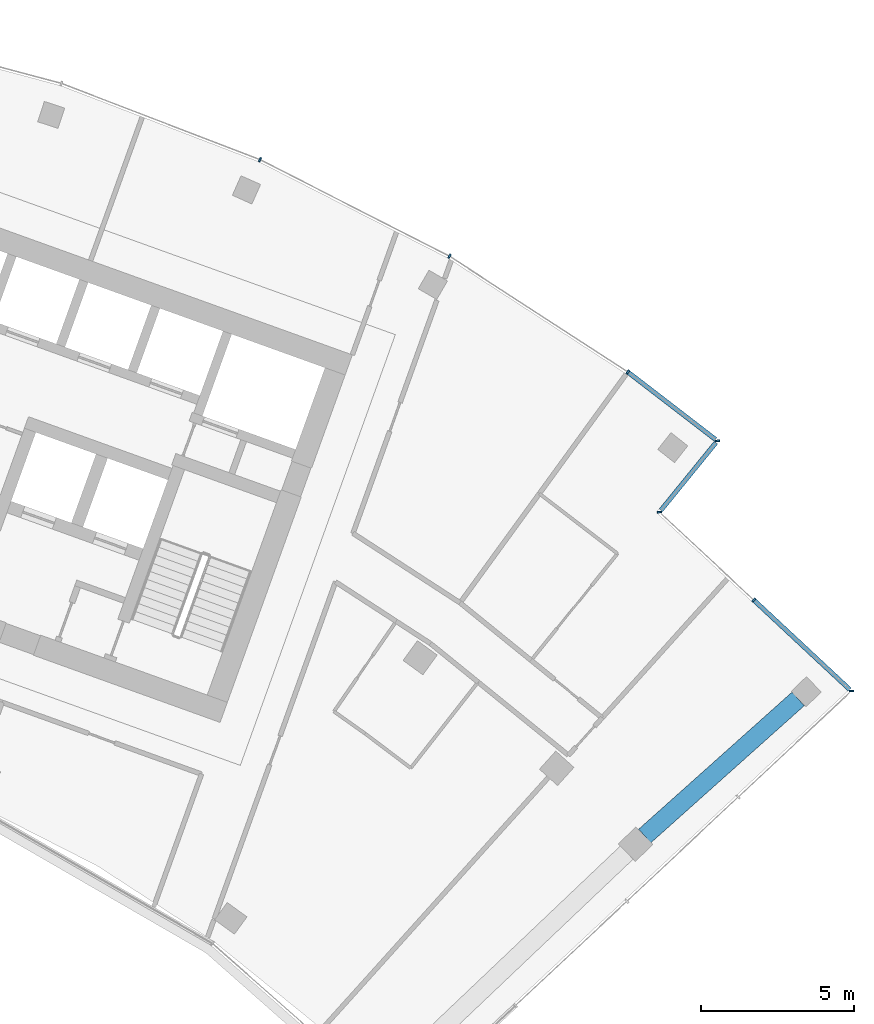
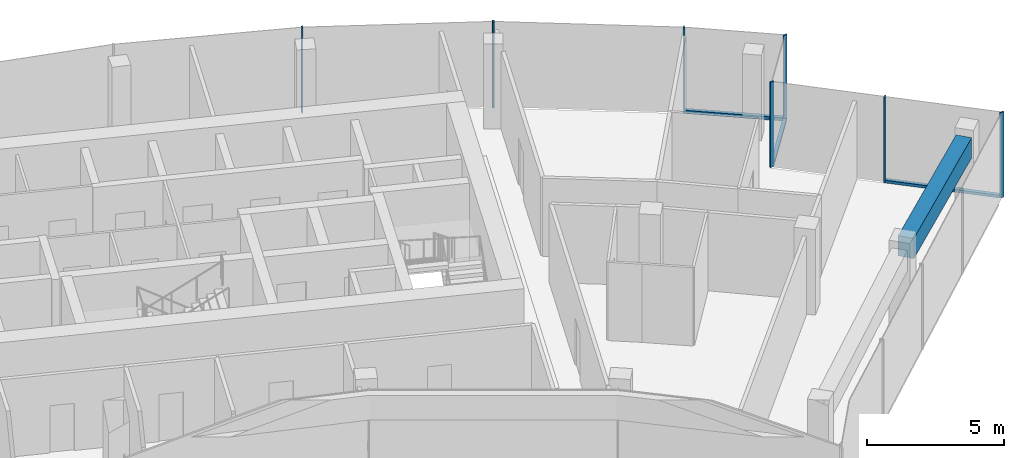
# One storey, part 9 of 18: 10 members, 1 beam, 3 elements without a shape of their own.
"""IFC4 building model written with IfcOpenShell, lengths in metres."""

import ifcopenshell
import ifcopenshell.guid

model = None  # the IFC model being written
_history = None  # IfcOwnerHistory: only IFC2X3 demands one
_inside = {}  # id of a spatial element -> (the spatial element, [elements in it])
_under = {}  # id of a project, library or spatial element -> (it, [spatial elements below it])
_declared = {}  # id of a project -> (the project, [libraries it declares])
_typed = {}  # id of a type object -> (the type object, [elements of that type])
_made_of = {}  # id of a material, layer set ... -> (it, [elements and type objects made of it])


def new_model(schema):
    """Start an empty IFC model of exactly this schema.

    Asked for "IFC4X3", IfcOpenShell would pick the latest addendum, in which some entities
    have other attributes; the version numbers below select the first issue.
    IFC2X3 requires an IfcOwnerHistory on every rooted entity: one is made here for all.
    """
    global model, _history
    if schema == "IFC4X3":
        model = ifcopenshell.file(schema_version=(4, 3, 0, 0))
    else:
        model = ifcopenshell.file(schema=schema)
    _inside.clear()
    _under.clear()
    _declared.clear()
    _typed.clear()
    _made_of.clear()
    _history = None
    if model.schema == "IFC2X3":
        org = make("IfcOrganization", Name="unknown")
        user = make(
            "IfcPersonAndOrganization",
            ThePerson=make("IfcPerson", FamilyName="unknown"),
            TheOrganization=org,
        )
        app = make(
            "IfcApplication",
            ApplicationDeveloper=org,
            Version="unknown",
            ApplicationFullName="unknown",
            ApplicationIdentifier="unknown",
        )
        _history = make(
            "IfcOwnerHistory",
            OwningUser=user,
            OwningApplication=app,
            ChangeAction="ADDED",
            CreationDate=0,
        )
    return model


def make(cls, **values):
    """One entity of the class cls with the attributes given. An attribute that is None is left unset."""
    return model.create_entity(
        cls, **{name: value for name, value in values.items() if value is not None}
    )


def rooted(cls, **values):
    """An entity with a GlobalId (a new one), such as an element, a storey or a relation."""
    return make(cls, GlobalId=ifcopenshell.guid.new(), OwnerHistory=_history, **values)


def si_unit(unit_type, name, prefix=None):
    """IfcSIUnit, for example si_unit("LENGTHUNIT", "METRE", prefix="MILLI")."""
    return make("IfcSIUnit", UnitType=unit_type, Prefix=prefix, Name=name)


def assignment(units):
    """IfcUnitAssignment: the units of a project."""
    return None if units is None else make("IfcUnitAssignment", Units=units)


def point(xyz):
    """IfcCartesianPoint."""
    return None if xyz is None else make("IfcCartesianPoint", Coordinates=xyz)


def direction(xyz):
    """IfcDirection."""
    return None if xyz is None else make("IfcDirection", DirectionRatios=xyz)


def frame(location, z_axis=None, x_axis=None):
    """IfcAxis2Placement3D, a coordinate frame: its origin and axes. An axis left out is left unset."""
    return make(
        "IfcAxis2Placement3D",
        Location=point(location),
        Axis=direction(z_axis),
        RefDirection=direction(x_axis),
    )


def frame_2d(location, x_axis=None):
    """IfcAxis2Placement2D, a coordinate frame in the plane: its origin and x axis."""
    return make(
        "IfcAxis2Placement2D", Location=point(location), RefDirection=direction(x_axis)
    )


def origin():
    """The frame at (0, 0, 0) with its axes left unset."""
    return frame((0.0, 0.0, 0.0))


def origin_2d():
    """The frame at (0, 0) in the plane with its x axis left unset."""
    return frame_2d((0.0, 0.0))


def place(relative_to, where):
    """IfcLocalPlacement: puts the frame where relative to a parent placement (None: the world)."""
    return make(
        "IfcLocalPlacement", PlacementRelTo=relative_to, RelativePlacement=where
    )


def context(
    kind, dimensions, precision=None, world=None, true_north=None, identifier=None
):
    """IfcGeometricRepresentationContext, for example the 3D "Model" context."""
    return make(
        "IfcGeometricRepresentationContext",
        ContextIdentifier=identifier,
        ContextType=kind,
        CoordinateSpaceDimension=dimensions,
        Precision=precision,
        WorldCoordinateSystem=world,
        TrueNorth=true_north,
    )


def subcontext(parent, identifier, kind, view, scale=None):
    """IfcGeometricRepresentationSubContext, for example "Body" below "Model"."""
    return make(
        "IfcGeometricRepresentationSubContext",
        ContextIdentifier=identifier,
        ContextType=kind,
        ParentContext=parent,
        TargetScale=scale,
        TargetView=view,
    )


def project(units=None, contexts=None):
    """IfcProject with its units and contexts."""
    return rooted(
        "IfcProject",
        Name="project",
        RepresentationContexts=contexts,
        UnitsInContext=assignment(units),
    )


def spatial(cls, under=None, at=None, **own):
    """A site, building, storey or space (cls), placed at a placement, below another one or the project."""
    s = rooted(cls, ObjectPlacement=at, **own)
    if under is not None:
        _under.setdefault(under.id(), (under, []))[1].append(s)
    return s


def profile(cls, at=None, kind="AREA", **sizes):
    """A parametric profile (cls). Its sizes go by their IFC names, for example OverallWidth=200.0."""
    return make(cls, ProfileType=kind, Position=at, **sizes)


def rectangle(**sizes):
    """IfcRectangleProfileDef."""
    return profile("IfcRectangleProfileDef", **sizes)


def extrude(swept, where, along, depth):
    """IfcExtrudedAreaSolid: the profile swept, set in the frame where, extruded along a direction by depth."""
    return make(
        "IfcExtrudedAreaSolid",
        SweptArea=swept,
        Position=where,
        ExtrudedDirection=direction(along),
        Depth=depth,
    )


def shape(context_of_items, identifier, shape_type, items):
    """IfcShapeRepresentation: the items that make up one representation, for example the "Body"."""
    return make(
        "IfcShapeRepresentation",
        ContextOfItems=context_of_items,
        RepresentationIdentifier=identifier,
        RepresentationType=shape_type,
        Items=items,
    )


def material(Name=None, Category=None):
    """IfcMaterial."""
    return make("IfcMaterial", Name=Name, Category=Category)


def layer(
    of_material, thickness, ventilated=None, Name=None, Category=None, Priority=None
):
    """IfcMaterialLayer: one layer of a wall or slab, of a material (None: an air gap)."""
    return make(
        "IfcMaterialLayer",
        Material=of_material,
        LayerThickness=thickness,
        IsVentilated=ventilated,
        Name=Name,
        Category=Category,
        Priority=Priority,
    )


def layer_set(layers, Name=None):
    """IfcMaterialLayerSet."""
    return make("IfcMaterialLayerSet", MaterialLayers=layers, LayerSetName=Name)


def material_profile(
    of_material, cross_section, Name=None, Category=None, Priority=None
):
    """IfcMaterialProfile: a cross section and its material."""
    return make(
        "IfcMaterialProfile",
        Name=Name,
        Material=of_material,
        Profile=cross_section,
        Priority=Priority,
        Category=Category,
    )


def profile_set(profiles, Name=None, composite=None):
    """IfcMaterialProfileSet."""
    return make(
        "IfcMaterialProfileSet",
        Name=Name,
        MaterialProfiles=profiles,
        CompositeProfile=composite,
    )


def made_of(thing, what):
    """Note that an element or type object is made of a material, layer set ...; save() writes the relation."""
    if what is not None:
        _made_of.setdefault(what.id(), (what, []))[1].append(thing)
    return thing


def type_object(cls, material=None, **own):
    """A type object (cls), such as IfcWallType, which elements share."""
    return made_of(rooted(cls, **own), material)


def element(
    cls,
    number,
    at=None,
    inside=None,
    cuts=None,
    type_object=None,
    material=None,
    context=None,
    identifier="Body",
    shape_type=None,
    held_by="IfcProductDefinitionShape",
    body=None,
    shapes=None,
    **own,
):
    """One element of the class cls, such as IfcWall. Its Tag is "e" and its number.

    at: its placement. inside: the storey or other place that contains it. cuts: it is an
    opening in that element (IfcRelVoidsElement). A single representation is given by context,
    identifier, shape_type and body (its items); several are given by shapes. held_by: the class
    of the entity that holds the representations. save() writes the other relations.
    """
    e = rooted(cls, Tag="e%d" % number, ObjectPlacement=at, **own)
    if body is not None:
        shapes = [shape(context, identifier, shape_type, body)]
    if shapes is not None:
        e.Representation = make(held_by, Representations=shapes)
    if inside is not None:
        _inside.setdefault(inside.id(), (inside, []))[1].append(e)
    if cuts is not None:
        rooted(
            "IfcRelVoidsElement", RelatingBuildingElement=cuts, RelatedOpeningElement=e
        )
    if type_object is not None:
        _typed.setdefault(type_object.id(), (type_object, []))[1].append(e)
    return made_of(e, material)


def aggregate(whole, parts):
    """IfcRelAggregates: a whole, such as a stair, and the parts it consists of."""
    return rooted("IfcRelAggregates", RelatingObject=whole, RelatedObjects=parts)


def save(model, path):
    """Write the relations noted so far, then the file.

    IfcRelAggregates (storeys below a building ...), IfcRelContainedInSpatialStructure (elements
    in a storey), IfcRelDefinesByType, IfcRelAssociatesMaterial and IfcRelDeclares: one each for
    every whole, place, type object, material and project.
    """
    for whole, parts in _under.values():
        aggregate(whole, parts)
    for where, things in _inside.values():
        rooted(
            "IfcRelContainedInSpatialStructure",
            RelatedElements=things,
            RelatingStructure=where,
        )
    for kind, things in _typed.values():
        rooted("IfcRelDefinesByType", RelatedObjects=things, RelatingType=kind)
    for what, things in _made_of.values():
        rooted("IfcRelAssociatesMaterial", RelatedObjects=things, RelatingMaterial=what)
    for by, libraries in _declared.values():
        rooted("IfcRelDeclares", RelatingContext=by, RelatedDefinitions=libraries)
    model.write(path)


model = new_model("IFC4")

# Units and contexts
model_context = context("Model", 3, precision=1e-05, world=origin(), true_north=direction((0.0, 1.0)))
body_context = subcontext(model_context, "Body", "Model", "MODEL_VIEW")
ifc_project = project(units=[si_unit("LENGTHUNIT", "METRE"), si_unit("AREAUNIT", "SQUARE_METRE"), si_unit("VOLUMEUNIT", "CUBIC_METRE"), si_unit("PLANEANGLEUNIT", "RADIAN"), si_unit("MASSUNIT", "GRAM", prefix="KILO")], contexts=[model_context])

# Site, building, storey
site_placement = place(None, origin())
site = spatial("IfcSite", under=ifc_project, at=site_placement, CompositionType="ELEMENT")
building_placement = place(site_placement, origin())
building = spatial("IfcBuilding", under=site, at=building_placement, Name="Stone Belt Terrace Tower", CompositionType="ELEMENT")
storey_placement = place(building_placement, frame((0.0, 0.0, 296.0)))
storey = spatial("IfcBuildingStorey", under=building, at=storey_placement, Name="L72", CompositionType="ELEMENT", Elevation=296.0)

# Curtain wall, members
ifc_material_1 = material(Name="Aluminium 6063-T6 anodised frame", Category="aluminium")
ifc_layer_1 = layer(ifc_material_1, 0.14990234375)
ifc_layer_set_1 = layer_set([ifc_layer_1], Name="CW-A unitised convex-face curtain wall")
curtain_wall_type_1 = type_object("IfcCurtainWallType", Name="CW-A unitised convex-face curtain wall", PredefinedType="NOTDEFINED", material=ifc_layer_set_1)
curtain_wall_1_placement = place(storey_placement, origin())
curtain_wall_1 = element("IfcCurtainWall", 1, at=curtain_wall_1_placement, inside=storey, type_object=curtain_wall_type_1, Name="CW-A convex face L72", PredefinedType="NOTDEFINED")
ifc_material_profile_1 = material_profile(ifc_material_1, rectangle(XDim=0.14990234375, YDim=0.06005859375, at=origin_2d()), Name="Aluminium 6063-T6 60x150")
ifc_profile_set_1 = profile_set([ifc_material_profile_1], Name="Aluminium 6063-T6 anodised frame")
member_type_1 = type_object("IfcMemberType", Name="CW-A mullion 60 x 150", PredefinedType="MULLION", material=ifc_profile_set_1)
member_1_placement = place(storey_placement, frame((42.068359375, 51.60205078125, 0.0), z_axis=(0.0, 0.0, 1.0), x_axis=(-0.993258004644, -0.115924700604, 0.0)))
member_1 = element("IfcMember", 2, at=member_1_placement, type_object=member_type_1, Name="CW-A mullion 1", PredefinedType="MULLION", context=body_context, shape_type="SweptSolid", body=[
    extrude(rectangle(XDim=0.14990234375, YDim=0.06005859375, at=origin_2d()), origin(), (0.0, 0.0, 1.0), 3.800048828125),
])
member_2_placement = place(storey_placement, frame((39.131103515625, 53.86083984375, 0.0), z_axis=(0.0, 0.0, 1.0), x_axis=(-0.577587125789, -0.816329046477, 0.0)))
member_2 = element("IfcMember", 3, at=member_2_placement, type_object=member_type_1, Name="CW-A mullion 2", PredefinedType="MULLION", context=body_context, shape_type="SweptSolid", body=[
    extrude(rectangle(XDim=0.14990234375, YDim=0.06005859375, at=origin_2d()), origin(), (0.0, 0.0, 1.0), 3.800048828125),
])
member_3_placement = place(storey_placement, frame((33.28759765625, 57.65576171875, 0.0), z_axis=(0.0, 0.0, 1.0), x_axis=(-0.5, -0.866025403784, 0.0)))
member_3 = element("IfcMember", 4, at=member_3_placement, type_object=member_type_1, Name="CW-A mullion 3", PredefinedType="MULLION", context=body_context, shape_type="SweptSolid", body=[
    extrude(rectangle(XDim=0.14990234375, YDim=0.06005859375, at=origin_2d()), origin(), (0.0, 0.0, 1.0), 3.800048828125),
])
member_4_placement = place(storey_placement, frame((27.07861328125, 60.8193359375, 0.0), z_axis=(0.0, 0.0, 1.0), x_axis=(-0.406736643076, -0.913545457643, 0.0)))
member_4 = element("IfcMember", 5, at=member_4_placement, type_object=member_type_1, Name="CW-A mullion 4", PredefinedType="MULLION", context=body_context, shape_type="SweptSolid", body=[
    extrude(rectangle(XDim=0.14990234375, YDim=0.06005859375, at=origin_2d()), origin(), (0.0, 0.0, 1.0), 3.800048828125),
])
ifc_material_profile_2 = material_profile(ifc_material_1, rectangle(XDim=0.14990234375, YDim=0.139892578125, at=origin_2d()), Name="Aluminium 6063-T6 150x140")
ifc_profile_set_2 = profile_set([ifc_material_profile_2], Name="Aluminium 6063-T6 anodised frame")
member_type_2 = type_object("IfcMemberType", Name="CW-A transom 140 x 150", PredefinedType="USERDEFINED", material=ifc_profile_set_2)
member_5_placement = place(storey_placement, frame((42.00927734375, 51.6474609375, 0.070068359375), z_axis=(-0.79269461464, 0.609618936648, 0.0), x_axis=(-0.609618936648, -0.79269461464, 0.0)))
member_5 = element("IfcMember", 6, at=member_5_placement, type_object=member_type_2, Name="CW-A transom 1.1", ObjectType="TRANSOM", PredefinedType="USERDEFINED", context=body_context, shape_type="SweptSolid", body=[
    extrude(rectangle(XDim=0.14990234375, YDim=0.139892578125, at=origin_2d()), origin(), (0.0, 0.0, 1.0), 3.597900390625),
])
aggregate(curtain_wall_1, [member_1, member_2, member_3, member_4, member_5])

ifc_layer_2 = layer(ifc_material_1, 0.14990234375)
ifc_layer_set_2 = layer_set([ifc_layer_2], Name="CW-C stick curtain wall, horn ends and notches")
curtain_wall_type_2 = type_object("IfcCurtainWallType", Name="CW-C stick curtain wall, horn ends and notches", PredefinedType="NOTDEFINED", material=ifc_layer_set_2)
curtain_wall_2_placement = place(storey_placement, origin())
curtain_wall_2 = element("IfcCurtainWall", 7, at=curtain_wall_2_placement, inside=storey, type_object=curtain_wall_type_2, Name="CW-C notch face L72", PredefinedType="NOTDEFINED")
ifc_material_profile_3 = material_profile(ifc_material_1, rectangle(XDim=0.14990234375, YDim=0.06005859375, at=origin_2d()), Name="Aluminium 6063-T6 60x150")
ifc_profile_set_3 = profile_set([ifc_material_profile_3], Name="Aluminium 6063-T6 anodised frame")
member_type_3 = type_object("IfcMemberType", Name="CW-C mullion 60 x 150", PredefinedType="MULLION", material=ifc_profile_set_3)
member_6_placement = place(storey_placement, frame((46.458740234375, 43.405517578125, 0.0), z_axis=(0.0, 0.0, 1.0), x_axis=(-0.999999447771, -0.00105093149, 0.0)))
member_6 = element("IfcMember", 8, at=member_6_placement, type_object=member_type_3, Name="CW-C mullion 1", PredefinedType="MULLION", context=body_context, shape_type="SweptSolid", body=[
    extrude(rectangle(XDim=0.14990234375, YDim=0.06005859375, at=origin_2d()), origin(), (0.0, 0.0, 1.0), 3.800048828125),
])
member_7_placement = place(storey_placement, frame((43.260009765625, 46.388671875, 0.0), z_axis=(0.0, 0.0, 1.0), x_axis=(-0.682013767261, -0.731339333871, 0.0)))
member_7 = element("IfcMember", 9, at=member_7_placement, type_object=member_type_3, Name="CW-C mullion 2", PredefinedType="MULLION", context=body_context, shape_type="SweptSolid", body=[
    extrude(rectangle(XDim=0.14990234375, YDim=0.06005859375, at=origin_2d()), origin(), (0.0, 0.0, 1.0), 3.800048828125),
])

# Curtain wall, member
curtain_wall_3_placement = place(storey_placement, origin())
curtain_wall_3 = element("IfcCurtainWall", 10, at=curtain_wall_3_placement, inside=storey, type_object=curtain_wall_type_2, Name="CW-C notch face L72", PredefinedType="NOTDEFINED")
member_8_placement = place(storey_placement, frame((40.1708984375, 49.269287109375, 0.0), z_axis=(0.0, 0.0, 1.0), x_axis=(-0.997639702696, -0.068666029474, 0.0)))
member_8 = element("IfcMember", 11, at=member_8_placement, type_object=member_type_3, Name="CW-C mullion 1", PredefinedType="MULLION", context=body_context, shape_type="SweptSolid", body=[
    extrude(rectangle(XDim=0.14990234375, YDim=0.06005859375, at=origin_2d()), origin(), (0.0, 0.0, 1.0), 3.800048828125),
])

# Member
ifc_material_profile_4 = material_profile(ifc_material_1, rectangle(XDim=0.14990234375, YDim=0.1201171875, at=origin_2d()), Name="Aluminium 6063-T6 150x120")
ifc_profile_set_4 = profile_set([ifc_material_profile_4], Name="Aluminium 6063-T6 anodised frame")
member_type_4 = type_object("IfcMemberType", Name="CW-C transom 120 x 150", PredefinedType="USERDEFINED", material=ifc_profile_set_4)
member_9_placement = place(storey_placement, frame((46.40380859375, 43.456787109375, 0.06005859375), z_axis=(-0.731353784958, 0.681998270693, 0.0), x_axis=(-0.681998270693, -0.731353784958, 0.0)))
member_9 = element("IfcMember", 12, at=member_9_placement, type_object=member_type_4, Name="CW-C transom 1.1", ObjectType="TRANSOM", PredefinedType="USERDEFINED", context=body_context, shape_type="SweptSolid", body=[
    extrude(rectangle(XDim=0.14990234375, YDim=0.1201171875, at=origin_2d()), origin(), (0.0, 0.0, 1.0), 4.268798828125),
])

aggregate(curtain_wall_2, [member_6, member_7, member_9])

member_10_placement = place(storey_placement, frame((40.217041015625, 49.325927734375, 0.06005859375), z_axis=(0.631026504781, 0.775761271439, 0.0), x_axis=(-0.775761271439, 0.631026504781, 0.0)))
member_10 = element("IfcMember", 13, at=member_10_placement, type_object=member_type_4, Name="CW-C transom 1.1", ObjectType="TRANSOM", PredefinedType="USERDEFINED", context=body_context, shape_type="SweptSolid", body=[
    extrude(rectangle(XDim=0.14990234375, YDim=0.1201171875, at=origin_2d()), origin(), (0.0, 0.0, 1.0), 2.859130859375),
])

aggregate(curtain_wall_3, [member_8, member_10])

# Beam
ifc_material_2 = material(Name="Concrete B60", Category="concrete")
ifc_material_profile_5 = material_profile(ifc_material_2, rectangle(XDim=0.60009765625, YDim=0.89990234375, at=origin_2d()), Name="RC 600x900")
ifc_profile_set_5 = profile_set([ifc_material_profile_5], Name="Concrete B60")
beam_type = type_object("IfcBeamType", Name="Edge beam RC 600x900 B60", PredefinedType="SPANDREL", material=ifc_profile_set_5)
beam_placement = place(storey_placement, frame((39.68701171875, 38.65380859375, 3.030029296875), z_axis=(0.745651125692, 0.666336550666, 0.0), x_axis=(-0.666336550666, 0.745651125692, 0.0)))
element("IfcBeam", 14, at=beam_placement, inside=storey, type_object=beam_type, Name="Edge beam L72 B Q to R", PredefinedType="SPANDREL", context=body_context, shape_type="SweptSolid", body=[
    extrude(rectangle(XDim=0.60009765625, YDim=0.89990234375, at=origin_2d()), origin(), (0.0, 0.0, 1.0), 6.744140625),
])

save(model, "model.ifc")
